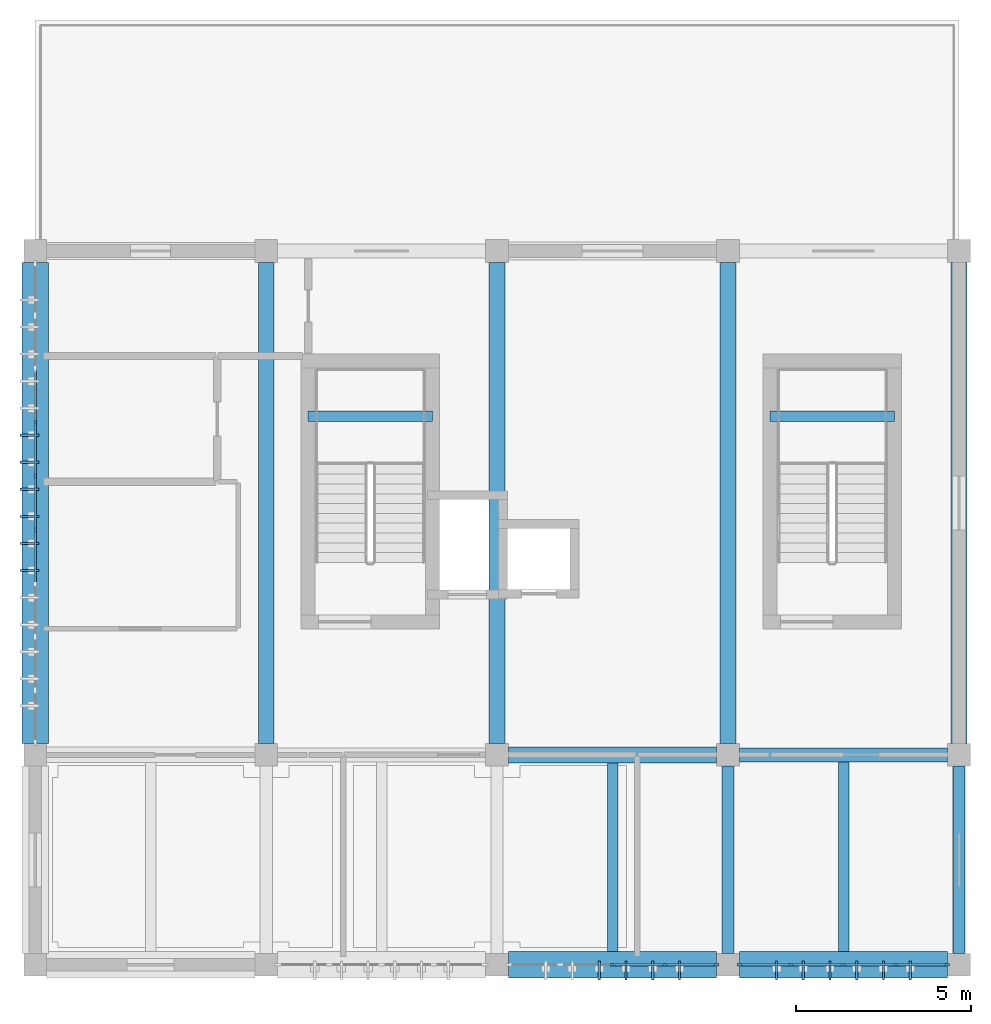
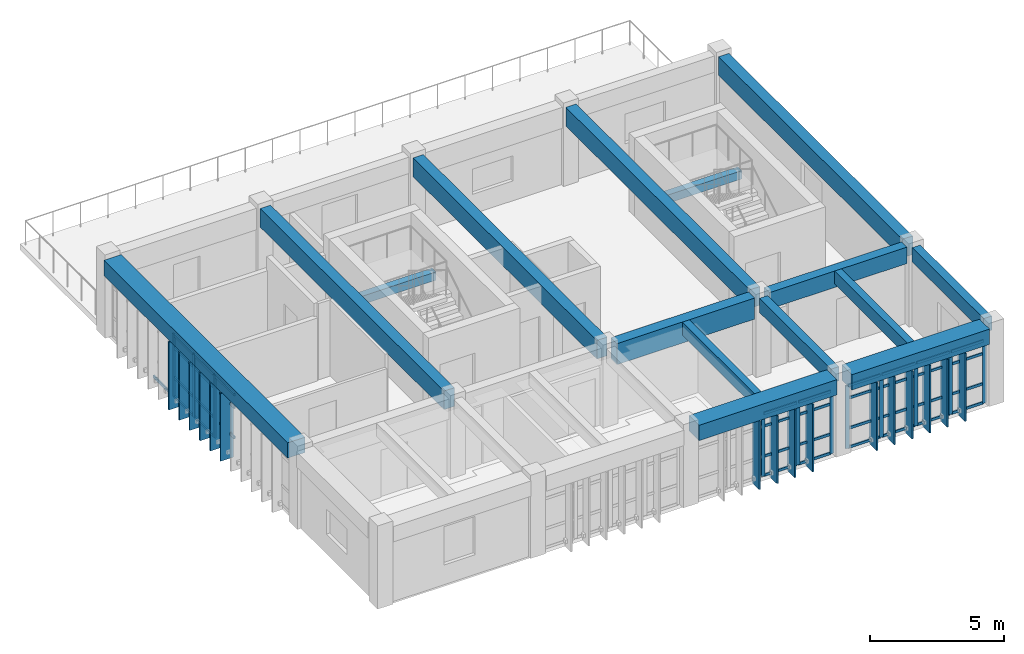
# One storey, part 2 of 8: 63 members, 15 beams, 3 elements without a shape of their own.
"""IFC4 building model written with IfcOpenShell, lengths in metres."""

from ifc_helpers import new_model, si_unit, direction, frame, origin, origin_2d, place, context, subcontext, project, spatial, rectangle, extrude, material, layer, layer_set, material_profile, profile_set, type_object, element, aggregate, save


model = new_model("IFC4")

# Units and contexts
model_context = context("Model", 3, precision=1e-05, world=origin(), true_north=direction((0.0, 1.0)))
body_context = subcontext(model_context, "Body", "Model", "MODEL_VIEW")
ifc_project = project(units=[si_unit("LENGTHUNIT", "METRE"), si_unit("AREAUNIT", "SQUARE_METRE"), si_unit("VOLUMEUNIT", "CUBIC_METRE"), si_unit("PLANEANGLEUNIT", "RADIAN"), si_unit("MASSUNIT", "GRAM", prefix="KILO")], contexts=[model_context])

# Site, building, storey
site_placement = place(None, origin())
site = spatial("IfcSite", under=ifc_project, at=site_placement, CompositionType="ELEMENT")
building_placement = place(site_placement, origin())
building = spatial("IfcBuilding", under=site, at=building_placement, Name="Miralva Faculty of Natural Sciences", CompositionType="ELEMENT")
storey_placement = place(building_placement, frame((0.0, 0.0, 36.800048828125)))
storey = spatial("IfcBuildingStorey", under=building, at=storey_placement, Name="L08", CompositionType="ELEMENT", Elevation=36.800048828125)

# Beams
ifc_material_1 = material(Name="Concrete C40/50", Category="concrete")
ifc_material_profile_1 = material_profile(ifc_material_1, rectangle(XDim=0.449951171875, YDim=0.85009765625, at=origin_2d()), Name="RC 450x850")
ifc_profile_set_1 = profile_set([ifc_material_profile_1], Name="Concrete C40/50")
beam_type_1 = type_object("IfcBeamType", Name="BM-B01", PredefinedType="BEAM", material=ifc_profile_set_1)
for number, where, z_axis, x_axis, name in (
    (1, (9.60009765625, 9.324951171875, 3.155029296875), (0.0, 1.0, 0.0), (-1.0, 0.0, 0.0), "Girder NS L08-16"),
    (2, (16.199951171875, 9.324951171875, 3.155029296875), (0.0, 1.0, 0.0), (-1.0, 0.0, 0.0), "Girder NS L08-18"),
    (3, (22.800048828125, 9.324951171875, 3.155029296875), (0.0, 1.0, 0.0), (-1.0, 0.0, 0.0), "Girder NS L08-20"),
    (4, (29.39990234375, 9.324951171875, 3.155029296875), (0.0, 1.0, 0.0), (-1.0, 0.0, 0.0), "Girder NS L08-22"),
):
    element("IfcBeam", number, at=place(storey_placement, frame(where, z_axis=z_axis, x_axis=x_axis)), inside=storey, type_object=beam_type_1, Name=name, PredefinedType="BEAM", context=body_context, shape_type="SweptSolid", body=[
        extrude(rectangle(XDim=0.449951171875, YDim=0.85009765625, at=origin_2d()), origin(), (0.0, 0.0, 1.0), 13.75),
    ])
ifc_material_profile_2 = material_profile(ifc_material_1, rectangle(XDim=0.39990234375, YDim=0.75, at=origin_2d()), Name="RC 400x750")
ifc_profile_set_2 = profile_set([ifc_material_profile_2], Name="Concrete C40/50")
beam_type_2 = type_object("IfcBeamType", Name="BM-B03", PredefinedType="BEAM", material=ifc_profile_set_2)
beam_1_placement = place(storey_placement, frame((23.125, 9.0, 3.204833984375), z_axis=(1.0, 0.0, 0.0), x_axis=(0.0, 1.0, 0.0)))
element("IfcBeam", 5, at=beam_1_placement, inside=storey, type_object=beam_type_2, Name="Girder EW L08-8", PredefinedType="BEAM", context=body_context, shape_type="SweptSolid", body=[
    extrude(rectangle(XDim=0.39990234375, YDim=0.75, at=origin_2d()), origin(), (0.0, 0.0, 1.0), 5.949951171875),
])
ifc_material_profile_3 = material_profile(ifc_material_1, rectangle(XDim=0.35009765625, YDim=0.64990234375, at=origin_2d()), Name="RC 350x650")
ifc_profile_set_3 = profile_set([ifc_material_profile_3], Name="Concrete C40/50")
beam_type_3 = type_object("IfcBeamType", Name="BM-B05", PredefinedType="BEAM", material=ifc_profile_set_3)
for number, where, z_axis, x_axis, name in (
    (6, (22.800048828125, 3.324951171875, 3.2548828125), (0.0, 1.0, 0.0), (-1.0, 0.0, 0.0), "Girder NS L08-19"),
    (7, (29.39990234375, 3.324951171875, 3.2548828125), (0.0, 1.0, 0.0), (-1.0, 0.0, 0.0), "Girder NS L08-21"),
):
    element("IfcBeam", number, at=place(storey_placement, frame(where, z_axis=z_axis, x_axis=x_axis)), inside=storey, type_object=beam_type_3, Name=name, PredefinedType="BEAM", context=body_context, shape_type="SweptSolid", body=[
        extrude(rectangle(XDim=0.35009765625, YDim=0.64990234375, at=origin_2d()), origin(), (0.0, 0.0, 1.0), 5.35009765625),
    ])
ifc_material_profile_4 = material_profile(ifc_material_1, rectangle(XDim=0.4599609375, YDim=0.9599609375, at=origin_2d()), Name="RC 460x960")
ifc_profile_set_4 = profile_set([ifc_material_profile_4], Name="Concrete C40/50")
beam_type_4 = type_object("IfcBeamType", Name="BM-BG16", PredefinedType="BEAM", material=ifc_profile_set_4)
beam_2_placement = place(storey_placement, frame((16.52490234375, 9.0, 3.099853515625), z_axis=(1.0, 0.0, 0.0), x_axis=(0.0, 1.0, 0.0)))
element("IfcBeam", 8, at=beam_2_placement, inside=storey, type_object=beam_type_4, Name="Girder EW L08-7", PredefinedType="BEAM", context=body_context, shape_type="SweptSolid", body=[
    extrude(rectangle(XDim=0.4599609375, YDim=0.9599609375, at=origin_2d()), origin(), (0.0, 0.0, 1.0), 5.9501953125),
])
ifc_material_profile_5 = material_profile(ifc_material_1, rectangle(XDim=0.300048828125, YDim=0.60009765625, at=origin_2d()), Name="RC 300x600")
ifc_profile_set_5 = profile_set([ifc_material_profile_5], Name="Concrete C40/50")
beam_type_5 = type_object("IfcBeamType", Name="BM-J01", PredefinedType="JOIST", material=ifc_profile_set_5)
beam_3_placement = place(storey_placement, frame((19.5, 3.375, 3.280029296875), z_axis=(0.0, 1.0, 0.0), x_axis=(-1.0, 0.0, 0.0)))
element("IfcBeam", 9, at=beam_3_placement, inside=storey, type_object=beam_type_5, Name="Floor joist L08-3", PredefinedType="JOIST", context=body_context, shape_type="SweptSolid", body=[
    extrude(rectangle(XDim=0.300048828125, YDim=0.60009765625, at=origin_2d()), origin(), (0.0, 0.0, 1.0), 5.39501953125),
])
beam_4_placement = place(storey_placement, frame((26.10009765625, 3.375, 3.280029296875), z_axis=(0.0, 1.0, 0.0), x_axis=(-1.0, 0.0, 0.0)))
element("IfcBeam", 10, at=beam_4_placement, inside=storey, type_object=beam_type_5, Name="Floor joist L08-4", PredefinedType="JOIST", context=body_context, shape_type="SweptSolid", body=[
    extrude(rectangle(XDim=0.300048828125, YDim=0.60009765625, at=origin_2d()), origin(), (0.0, 0.0, 1.0), 5.425048828125),
])
ifc_material_profile_6 = material_profile(ifc_material_1, rectangle(XDim=0.300048828125, YDim=0.3798828125, at=origin_2d()), Name="RC 300x380")
ifc_profile_set_6 = profile_set([ifc_material_profile_6], Name="Concrete C40/50")
beam_type_6 = type_object("IfcBeamType", Name="BM-LND01", PredefinedType="BEAM", material=ifc_profile_set_6)
for number, where, z_axis, x_axis, name in (
    (11, (10.800048828125, 18.675048828125, 1.52001953125), (1.0, 0.0, 0.0), (0.0, 1.0, 0.0), "Stair Core C1 half-landing support beam L08"),
    (12, (24.0, 18.675048828125, 1.52001953125), (1.0, 0.0, 0.0), (0.0, 1.0, 0.0), "Stair Core C1B half-landing support beam L08"),
):
    element("IfcBeam", number, at=place(storey_placement, frame(where, z_axis=z_axis, x_axis=x_axis)), inside=storey, type_object=beam_type_6, Name=name, PredefinedType="BEAM", context=body_context, shape_type="SweptSolid", body=[
        extrude(rectangle(XDim=0.300048828125, YDim=0.3798828125, at=origin_2d()), origin(), (0.0, 0.0, 1.0), 3.550048828125),
    ])
ifc_material_profile_7 = material_profile(ifc_material_1, rectangle(XDim=0.75, YDim=0.699951171875, at=origin_2d()), Name="RC 750x700")
ifc_profile_set_7 = profile_set([ifc_material_profile_7], Name="Concrete C40/50")
beam_type_7 = type_object("IfcBeamType", Name="BM-SP01", PredefinedType="SPANDREL", material=ifc_profile_set_7)
beam_5_placement = place(storey_placement, frame((16.52490234375, 3.0, 3.22998046875), z_axis=(1.0, 0.0, 0.0), x_axis=(0.0, 1.0, 0.0)))
element("IfcBeam", 13, at=beam_5_placement, inside=storey, type_object=beam_type_7, Name="Girder EW L08-3", PredefinedType="SPANDREL", context=body_context, shape_type="SweptSolid", body=[
    extrude(rectangle(XDim=0.75, YDim=0.699951171875, at=origin_2d()), origin(), (0.0, 0.0, 1.0), 5.9501953125),
])
beam_6_placement = place(storey_placement, frame((23.125, 3.0, 3.22998046875), z_axis=(1.0, 0.0, 0.0), x_axis=(0.0, 1.0, 0.0)))
element("IfcBeam", 14, at=beam_6_placement, inside=storey, type_object=beam_type_7, Name="Girder EW L08-4", PredefinedType="SPANDREL", context=body_context, shape_type="SweptSolid", body=[
    extrude(rectangle(XDim=0.75, YDim=0.699951171875, at=origin_2d()), origin(), (0.0, 0.0, 1.0), 5.949951171875),
])
beam_7_placement = place(storey_placement, frame((3.0, 9.324951171875, 3.22998046875), z_axis=(0.0, 1.0, 0.0), x_axis=(-1.0, 0.0, 0.0)))
element("IfcBeam", 15, at=beam_7_placement, inside=storey, type_object=beam_type_7, Name="Girder NS L08-14", PredefinedType="SPANDREL", context=body_context, shape_type="SweptSolid", body=[
    extrude(rectangle(XDim=0.75, YDim=0.699951171875, at=origin_2d()), origin(), (0.0, 0.0, 1.0), 13.75),
])

# Curtain wall, members
ifc_material_2 = material(Name="Laminated solar-control glass", Category="glass")
ifc_layer = layer(ifc_material_2, 0.179931640625, Name="CW-TWR-L07")
ifc_layer_set = layer_set([ifc_layer], Name="Laminated solar-control glass")
curtain_wall_type = type_object("IfcCurtainWallType", Name="CW-TWR-L07", PredefinedType="USERDEFINED", material=ifc_layer_set)
curtain_wall_1_placement = place(storey_placement, origin())
curtain_wall_1 = element("IfcCurtainWall", 16, at=curtain_wall_1_placement, inside=storey, type_object=curtain_wall_type, Name="Curtain wall CW-15 L08-248", ObjectType="UNITISED CURTAIN WALL", PredefinedType="USERDEFINED")
ifc_material_3 = material(Name="Anodised aluminium", Category="aluminium")
ifc_material_profile_8 = material_profile(ifc_material_3, rectangle(XDim=0.06494140625, YDim=0.159912109375, at=origin_2d()), Name="MULLION 65x160")
ifc_profile_set_8 = profile_set([ifc_material_profile_8], Name="Anodised aluminium")
member_type_1 = type_object("IfcMemberType", Name="CW-M02", PredefinedType="MULLION", material=ifc_profile_set_8)
member_1_placement = place(storey_placement, frame((19.5, 3.0, 0.0), z_axis=(0.0, 0.0, 1.0), x_axis=(0.0, 1.0, 0.0)))
member_1 = element("IfcMember", 17, at=member_1_placement, type_object=member_type_1, Name="CW-15 mullion 3", PredefinedType="MULLION", context=body_context, shape_type="SweptSolid", body=[
    extrude(rectangle(XDim=0.06494140625, YDim=0.159912109375, at=origin_2d()), origin(), (0.0, 0.0, 1.0), 2.875),
])
member_2_placement = place(storey_placement, frame((20.99755859375, 3.0, 0.0), z_axis=(0.0, 0.0, 1.0), x_axis=(0.0, 1.0, 0.0)))
member_2 = element("IfcMember", 18, at=member_2_placement, type_object=member_type_1, Name="CW-15 mullion 4", PredefinedType="MULLION", context=body_context, shape_type="SweptSolid", body=[
    extrude(rectangle(XDim=0.06494140625, YDim=0.159912109375, at=origin_2d()), origin(), (0.0, 0.0, 1.0), 2.875),
])
member_3_placement = place(storey_placement, frame((22.46240234375, 3.0, 0.0), z_axis=(0.0, 0.0, 1.0), x_axis=(0.0, 1.0, 0.0)))
member_3 = element("IfcMember", 19, at=member_3_placement, type_object=member_type_1, Name="CW-15 mullion 5", PredefinedType="MULLION", context=body_context, shape_type="SweptSolid", body=[
    extrude(rectangle(XDim=0.06494140625, YDim=0.159912109375, at=origin_2d()), origin(), (0.0, 0.0, 1.0), 2.875),
])

curtain_wall_2_placement = place(storey_placement, origin())
curtain_wall_2 = element("IfcCurtainWall", 20, at=curtain_wall_2_placement, inside=storey, type_object=curtain_wall_type, Name="Curtain wall CW-15 L08-249", ObjectType="UNITISED CURTAIN WALL", PredefinedType="USERDEFINED")
member_4_placement = place(storey_placement, frame((23.137451171875, 3.0, 0.0), z_axis=(0.0, 0.0, 1.0), x_axis=(0.0, 1.0, 0.0)))
member_4 = element("IfcMember", 21, at=member_4_placement, type_object=member_type_1, Name="CW-15 mullion 1", PredefinedType="MULLION", context=body_context, shape_type="SweptSolid", body=[
    extrude(rectangle(XDim=0.06494140625, YDim=0.159912109375, at=origin_2d()), origin(), (0.0, 0.0, 1.0), 2.875),
])
member_5_placement = place(storey_placement, frame((24.60009765625, 3.0, 0.0), z_axis=(0.0, 0.0, 1.0), x_axis=(0.0, 1.0, 0.0)))
member_5 = element("IfcMember", 22, at=member_5_placement, type_object=member_type_1, Name="CW-15 mullion 2", PredefinedType="MULLION", context=body_context, shape_type="SweptSolid", body=[
    extrude(rectangle(XDim=0.06494140625, YDim=0.159912109375, at=origin_2d()), origin(), (0.0, 0.0, 1.0), 2.875),
])
member_6_placement = place(storey_placement, frame((26.094970703125, 3.0, 0.0), z_axis=(0.0, 0.0, 1.0), x_axis=(0.0, 1.0, 0.0)))
member_6 = element("IfcMember", 23, at=member_6_placement, type_object=member_type_1, Name="CW-15 mullion 3", PredefinedType="MULLION", context=body_context, shape_type="SweptSolid", body=[
    extrude(rectangle(XDim=0.06494140625, YDim=0.159912109375, at=origin_2d()), origin(), (0.0, 0.0, 1.0), 2.875),
])
member_7_placement = place(storey_placement, frame((27.590087890625, 3.0, 0.0), z_axis=(0.0, 0.0, 1.0), x_axis=(0.0, 1.0, 0.0)))
member_7 = element("IfcMember", 24, at=member_7_placement, type_object=member_type_1, Name="CW-15 mullion 4", PredefinedType="MULLION", context=body_context, shape_type="SweptSolid", body=[
    extrude(rectangle(XDim=0.06494140625, YDim=0.159912109375, at=origin_2d()), origin(), (0.0, 0.0, 1.0), 2.875),
])
member_8_placement = place(storey_placement, frame((29.052490234375, 3.0, 0.0), z_axis=(0.0, 0.0, 1.0), x_axis=(0.0, 1.0, 0.0)))
member_8 = element("IfcMember", 25, at=member_8_placement, type_object=member_type_1, Name="CW-15 mullion 5", PredefinedType="MULLION", context=body_context, shape_type="SweptSolid", body=[
    extrude(rectangle(XDim=0.06494140625, YDim=0.159912109375, at=origin_2d()), origin(), (0.0, 0.0, 1.0), 2.875),
])

curtain_wall_3_placement = place(storey_placement, origin())
curtain_wall_3 = element("IfcCurtainWall", 26, at=curtain_wall_3_placement, inside=storey, type_object=curtain_wall_type, Name="Curtain wall CW-15 L08-250", ObjectType="UNITISED CURTAIN WALL", PredefinedType="USERDEFINED")
member_9_placement = place(storey_placement, frame((3.0, 15.43505859375, 0.0), z_axis=(0.0, 0.0, 1.0), x_axis=(-1.0, 0.0, 0.0)))
member_9 = element("IfcMember", 27, at=member_9_placement, type_object=member_type_1, Name="CW-15 mullion 5", PredefinedType="MULLION", context=body_context, shape_type="SweptSolid", body=[
    extrude(rectangle(XDim=0.06494140625, YDim=0.159912109375, at=origin_2d()), origin(), (0.0, 0.0, 1.0), 2.875),
])
member_10_placement = place(storey_placement, frame((3.0, 16.965087890625, 0.0), z_axis=(0.0, 0.0, 1.0), x_axis=(-1.0, 0.0, 0.0)))
member_10 = element("IfcMember", 28, at=member_10_placement, type_object=member_type_1, Name="CW-15 mullion 6", PredefinedType="MULLION", context=body_context, shape_type="SweptSolid", body=[
    extrude(rectangle(XDim=0.06494140625, YDim=0.159912109375, at=origin_2d()), origin(), (0.0, 0.0, 1.0), 2.875),
])
member_11_placement = place(storey_placement, frame((3.0, 18.4951171875, 0.0), z_axis=(0.0, 0.0, 1.0), x_axis=(-1.0, 0.0, 0.0)))
member_11 = element("IfcMember", 29, at=member_11_placement, type_object=member_type_1, Name="CW-15 mullion 7", PredefinedType="MULLION", context=body_context, shape_type="SweptSolid", body=[
    extrude(rectangle(XDim=0.06494140625, YDim=0.159912109375, at=origin_2d()), origin(), (0.0, 0.0, 1.0), 2.875),
])

# Member
ifc_material_profile_9 = material_profile(ifc_material_3, rectangle(XDim=0.06005859375, YDim=0.1201171875, at=origin_2d()), Name="TRANSOM 60x120")
ifc_profile_set_9 = profile_set([ifc_material_profile_9], Name="Anodised aluminium")
member_type_2 = type_object("IfcMemberType", Name="CW-T02", PredefinedType="USERDEFINED", material=ifc_profile_set_9)
member_12_placement = place(storey_placement, frame((19.532470703125, 3.0, 0.030029296875), z_axis=(1.0, 0.0, 0.0), x_axis=(0.0, 1.0, 0.0)))
member_12 = element("IfcMember", 30, at=member_12_placement, type_object=member_type_2, Name="CW-15 transom 3.1", ObjectType="TRANSOM", PredefinedType="USERDEFINED", context=body_context, shape_type="SweptSolid", body=[
    extrude(rectangle(XDim=0.06005859375, YDim=0.1201171875, at=origin_2d()), origin(), (0.0, 0.0, 1.0), 1.4326171875),
])

member_13_placement = place(storey_placement, frame((19.532470703125, 3.0, 0.89990234375), z_axis=(1.0, 0.0, 0.0), x_axis=(0.0, 1.0, 0.0)))
member_13 = element("IfcMember", 31, at=member_13_placement, type_object=member_type_2, Name="CW-15 transom 3.2", ObjectType="TRANSOM", PredefinedType="USERDEFINED", context=body_context, shape_type="SweptSolid", body=[
    extrude(rectangle(XDim=0.06005859375, YDim=0.1201171875, at=origin_2d()), origin(), (0.0, 0.0, 1.0), 1.4326171875),
])

member_14_placement = place(storey_placement, frame((19.532470703125, 3.0, 2.27490234375), z_axis=(1.0, 0.0, 0.0), x_axis=(0.0, 1.0, 0.0)))
member_14 = element("IfcMember", 32, at=member_14_placement, type_object=member_type_2, Name="CW-15 transom 3.3", ObjectType="TRANSOM", PredefinedType="USERDEFINED", context=body_context, shape_type="SweptSolid", body=[
    extrude(rectangle(XDim=0.06005859375, YDim=0.1201171875, at=origin_2d()), origin(), (0.0, 0.0, 1.0), 1.4326171875),
])

member_15_placement = place(storey_placement, frame((19.532470703125, 3.0, 2.844970703125), z_axis=(1.0, 0.0, 0.0), x_axis=(0.0, 1.0, 0.0)))
member_15 = element("IfcMember", 33, at=member_15_placement, type_object=member_type_2, Name="CW-15 transom 3.4", ObjectType="TRANSOM", PredefinedType="USERDEFINED", context=body_context, shape_type="SweptSolid", body=[
    extrude(rectangle(XDim=0.06005859375, YDim=0.1201171875, at=origin_2d()), origin(), (0.0, 0.0, 1.0), 1.4326171875),
])

member_16_placement = place(storey_placement, frame((21.030029296875, 3.0, 0.030029296875), z_axis=(1.0, 0.0, 0.0), x_axis=(0.0, 1.0, 0.0)))
member_16 = element("IfcMember", 34, at=member_16_placement, type_object=member_type_2, Name="CW-15 transom 4.1", ObjectType="TRANSOM", PredefinedType="USERDEFINED", context=body_context, shape_type="SweptSolid", body=[
    extrude(rectangle(XDim=0.06005859375, YDim=0.1201171875, at=origin_2d()), origin(), (0.0, 0.0, 1.0), 1.39990234375),
])

member_17_placement = place(storey_placement, frame((21.030029296875, 3.0, 0.89990234375), z_axis=(1.0, 0.0, 0.0), x_axis=(0.0, 1.0, 0.0)))
member_17 = element("IfcMember", 35, at=member_17_placement, type_object=member_type_2, Name="CW-15 transom 4.2", ObjectType="TRANSOM", PredefinedType="USERDEFINED", context=body_context, shape_type="SweptSolid", body=[
    extrude(rectangle(XDim=0.06005859375, YDim=0.1201171875, at=origin_2d()), origin(), (0.0, 0.0, 1.0), 1.39990234375),
])

member_18_placement = place(storey_placement, frame((21.030029296875, 3.0, 2.27490234375), z_axis=(1.0, 0.0, 0.0), x_axis=(0.0, 1.0, 0.0)))
member_18 = element("IfcMember", 36, at=member_18_placement, type_object=member_type_2, Name="CW-15 transom 4.3", ObjectType="TRANSOM", PredefinedType="USERDEFINED", context=body_context, shape_type="SweptSolid", body=[
    extrude(rectangle(XDim=0.06005859375, YDim=0.1201171875, at=origin_2d()), origin(), (0.0, 0.0, 1.0), 1.39990234375),
])

member_19_placement = place(storey_placement, frame((21.030029296875, 3.0, 2.844970703125), z_axis=(1.0, 0.0, 0.0), x_axis=(0.0, 1.0, 0.0)))
member_19 = element("IfcMember", 37, at=member_19_placement, type_object=member_type_2, Name="CW-15 transom 4.4", ObjectType="TRANSOM", PredefinedType="USERDEFINED", context=body_context, shape_type="SweptSolid", body=[
    extrude(rectangle(XDim=0.06005859375, YDim=0.1201171875, at=origin_2d()), origin(), (0.0, 0.0, 1.0), 1.39990234375),
])

aggregate(curtain_wall_1, [member_1, member_2, member_3, member_12, member_13, member_14, member_15, member_16, member_17, member_18, member_19])

member_20_placement = place(storey_placement, frame((23.169921875, 3.0, 0.030029296875), z_axis=(1.0, 0.0, 0.0), x_axis=(0.0, 1.0, 0.0)))
member_20 = element("IfcMember", 38, at=member_20_placement, type_object=member_type_2, Name="CW-15 transom 1.1", ObjectType="TRANSOM", PredefinedType="USERDEFINED", context=body_context, shape_type="SweptSolid", body=[
    extrude(rectangle(XDim=0.06005859375, YDim=0.1201171875, at=origin_2d()), origin(), (0.0, 0.0, 1.0), 1.3974609375),
])

member_21_placement = place(storey_placement, frame((23.169921875, 3.0, 0.89990234375), z_axis=(1.0, 0.0, 0.0), x_axis=(0.0, 1.0, 0.0)))
member_21 = element("IfcMember", 39, at=member_21_placement, type_object=member_type_2, Name="CW-15 transom 1.2", ObjectType="TRANSOM", PredefinedType="USERDEFINED", context=body_context, shape_type="SweptSolid", body=[
    extrude(rectangle(XDim=0.06005859375, YDim=0.1201171875, at=origin_2d()), origin(), (0.0, 0.0, 1.0), 1.3974609375),
])

member_22_placement = place(storey_placement, frame((23.169921875, 3.0, 2.27490234375), z_axis=(1.0, 0.0, 0.0), x_axis=(0.0, 1.0, 0.0)))
member_22 = element("IfcMember", 40, at=member_22_placement, type_object=member_type_2, Name="CW-15 transom 1.3", ObjectType="TRANSOM", PredefinedType="USERDEFINED", context=body_context, shape_type="SweptSolid", body=[
    extrude(rectangle(XDim=0.06005859375, YDim=0.1201171875, at=origin_2d()), origin(), (0.0, 0.0, 1.0), 1.3974609375),
])

member_23_placement = place(storey_placement, frame((23.169921875, 3.0, 2.844970703125), z_axis=(1.0, 0.0, 0.0), x_axis=(0.0, 1.0, 0.0)))
member_23 = element("IfcMember", 41, at=member_23_placement, type_object=member_type_2, Name="CW-15 transom 1.4", ObjectType="TRANSOM", PredefinedType="USERDEFINED", context=body_context, shape_type="SweptSolid", body=[
    extrude(rectangle(XDim=0.06005859375, YDim=0.1201171875, at=origin_2d()), origin(), (0.0, 0.0, 1.0), 1.3974609375),
])

member_24_placement = place(storey_placement, frame((24.632568359375, 3.0, 0.030029296875), z_axis=(1.0, 0.0, 0.0), x_axis=(0.0, 1.0, 0.0)))
member_24 = element("IfcMember", 42, at=member_24_placement, type_object=member_type_2, Name="CW-15 transom 2.1", ObjectType="TRANSOM", PredefinedType="USERDEFINED", context=body_context, shape_type="SweptSolid", body=[
    extrude(rectangle(XDim=0.06005859375, YDim=0.1201171875, at=origin_2d()), origin(), (0.0, 0.0, 1.0), 1.429931640625),
])

member_25_placement = place(storey_placement, frame((24.632568359375, 3.0, 0.89990234375), z_axis=(1.0, 0.0, 0.0), x_axis=(0.0, 1.0, 0.0)))
member_25 = element("IfcMember", 43, at=member_25_placement, type_object=member_type_2, Name="CW-15 transom 2.2", ObjectType="TRANSOM", PredefinedType="USERDEFINED", context=body_context, shape_type="SweptSolid", body=[
    extrude(rectangle(XDim=0.06005859375, YDim=0.1201171875, at=origin_2d()), origin(), (0.0, 0.0, 1.0), 1.429931640625),
])

member_26_placement = place(storey_placement, frame((24.632568359375, 3.0, 2.27490234375), z_axis=(1.0, 0.0, 0.0), x_axis=(0.0, 1.0, 0.0)))
member_26 = element("IfcMember", 44, at=member_26_placement, type_object=member_type_2, Name="CW-15 transom 2.3", ObjectType="TRANSOM", PredefinedType="USERDEFINED", context=body_context, shape_type="SweptSolid", body=[
    extrude(rectangle(XDim=0.06005859375, YDim=0.1201171875, at=origin_2d()), origin(), (0.0, 0.0, 1.0), 1.429931640625),
])

member_27_placement = place(storey_placement, frame((24.632568359375, 3.0, 2.844970703125), z_axis=(1.0, 0.0, 0.0), x_axis=(0.0, 1.0, 0.0)))
member_27 = element("IfcMember", 45, at=member_27_placement, type_object=member_type_2, Name="CW-15 transom 2.4", ObjectType="TRANSOM", PredefinedType="USERDEFINED", context=body_context, shape_type="SweptSolid", body=[
    extrude(rectangle(XDim=0.06005859375, YDim=0.1201171875, at=origin_2d()), origin(), (0.0, 0.0, 1.0), 1.429931640625),
])

member_28_placement = place(storey_placement, frame((26.12744140625, 3.0, 0.030029296875), z_axis=(1.0, 0.0, 0.0), x_axis=(0.0, 1.0, 0.0)))
member_28 = element("IfcMember", 46, at=member_28_placement, type_object=member_type_2, Name="CW-15 transom 3.1", ObjectType="TRANSOM", PredefinedType="USERDEFINED", context=body_context, shape_type="SweptSolid", body=[
    extrude(rectangle(XDim=0.06005859375, YDim=0.1201171875, at=origin_2d()), origin(), (0.0, 0.0, 1.0), 1.43017578125),
])

member_29_placement = place(storey_placement, frame((26.12744140625, 3.0, 0.89990234375), z_axis=(1.0, 0.0, 0.0), x_axis=(0.0, 1.0, 0.0)))
member_29 = element("IfcMember", 47, at=member_29_placement, type_object=member_type_2, Name="CW-15 transom 3.2", ObjectType="TRANSOM", PredefinedType="USERDEFINED", context=body_context, shape_type="SweptSolid", body=[
    extrude(rectangle(XDim=0.06005859375, YDim=0.1201171875, at=origin_2d()), origin(), (0.0, 0.0, 1.0), 1.43017578125),
])

member_30_placement = place(storey_placement, frame((26.12744140625, 3.0, 2.27490234375), z_axis=(1.0, 0.0, 0.0), x_axis=(0.0, 1.0, 0.0)))
member_30 = element("IfcMember", 48, at=member_30_placement, type_object=member_type_2, Name="CW-15 transom 3.3", ObjectType="TRANSOM", PredefinedType="USERDEFINED", context=body_context, shape_type="SweptSolid", body=[
    extrude(rectangle(XDim=0.06005859375, YDim=0.1201171875, at=origin_2d()), origin(), (0.0, 0.0, 1.0), 1.43017578125),
])

member_31_placement = place(storey_placement, frame((26.12744140625, 3.0, 2.844970703125), z_axis=(1.0, 0.0, 0.0), x_axis=(0.0, 1.0, 0.0)))
member_31 = element("IfcMember", 49, at=member_31_placement, type_object=member_type_2, Name="CW-15 transom 3.4", ObjectType="TRANSOM", PredefinedType="USERDEFINED", context=body_context, shape_type="SweptSolid", body=[
    extrude(rectangle(XDim=0.06005859375, YDim=0.1201171875, at=origin_2d()), origin(), (0.0, 0.0, 1.0), 1.43017578125),
])

member_32_placement = place(storey_placement, frame((27.62255859375, 3.0, 0.030029296875), z_axis=(1.0, 0.0, 0.0), x_axis=(0.0, 1.0, 0.0)))
member_32 = element("IfcMember", 50, at=member_32_placement, type_object=member_type_2, Name="CW-15 transom 4.1", ObjectType="TRANSOM", PredefinedType="USERDEFINED", context=body_context, shape_type="SweptSolid", body=[
    extrude(rectangle(XDim=0.06005859375, YDim=0.1201171875, at=origin_2d()), origin(), (0.0, 0.0, 1.0), 1.3974609375),
])

member_33_placement = place(storey_placement, frame((27.62255859375, 3.0, 0.89990234375), z_axis=(1.0, 0.0, 0.0), x_axis=(0.0, 1.0, 0.0)))
member_33 = element("IfcMember", 51, at=member_33_placement, type_object=member_type_2, Name="CW-15 transom 4.2", ObjectType="TRANSOM", PredefinedType="USERDEFINED", context=body_context, shape_type="SweptSolid", body=[
    extrude(rectangle(XDim=0.06005859375, YDim=0.1201171875, at=origin_2d()), origin(), (0.0, 0.0, 1.0), 1.3974609375),
])

member_34_placement = place(storey_placement, frame((27.62255859375, 3.0, 2.27490234375), z_axis=(1.0, 0.0, 0.0), x_axis=(0.0, 1.0, 0.0)))
member_34 = element("IfcMember", 52, at=member_34_placement, type_object=member_type_2, Name="CW-15 transom 4.3", ObjectType="TRANSOM", PredefinedType="USERDEFINED", context=body_context, shape_type="SweptSolid", body=[
    extrude(rectangle(XDim=0.06005859375, YDim=0.1201171875, at=origin_2d()), origin(), (0.0, 0.0, 1.0), 1.3974609375),
])

member_35_placement = place(storey_placement, frame((27.62255859375, 3.0, 2.844970703125), z_axis=(1.0, 0.0, 0.0), x_axis=(0.0, 1.0, 0.0)))
member_35 = element("IfcMember", 53, at=member_35_placement, type_object=member_type_2, Name="CW-15 transom 4.4", ObjectType="TRANSOM", PredefinedType="USERDEFINED", context=body_context, shape_type="SweptSolid", body=[
    extrude(rectangle(XDim=0.06005859375, YDim=0.1201171875, at=origin_2d()), origin(), (0.0, 0.0, 1.0), 1.3974609375),
])

aggregate(curtain_wall_2, [member_4, member_5, member_6, member_7, member_8, member_20, member_21, member_22, member_23, member_24, member_25, member_26, member_27, member_28, member_29, member_30, member_31, member_32, member_33, member_34, member_35])

member_36_placement = place(storey_placement, frame((3.0, 13.9375, 0.89990234375), z_axis=(0.0, 1.0, 0.0), x_axis=(-1.0, 0.0, 0.0)))
member_36 = element("IfcMember", 54, at=member_36_placement, type_object=member_type_2, Name="CW-15 transom 4.2", ObjectType="TRANSOM", PredefinedType="USERDEFINED", context=body_context, shape_type="SweptSolid", body=[
    extrude(rectangle(XDim=0.06005859375, YDim=0.1201171875, at=origin_2d()), origin(), (0.0, 0.0, 1.0), 1.465087890625),
])

member_37_placement = place(storey_placement, frame((3.0, 13.9375, 2.27490234375), z_axis=(0.0, 1.0, 0.0), x_axis=(-1.0, 0.0, 0.0)))
member_37 = element("IfcMember", 55, at=member_37_placement, type_object=member_type_2, Name="CW-15 transom 4.3", ObjectType="TRANSOM", PredefinedType="USERDEFINED", context=body_context, shape_type="SweptSolid", body=[
    extrude(rectangle(XDim=0.06005859375, YDim=0.1201171875, at=origin_2d()), origin(), (0.0, 0.0, 1.0), 1.465087890625),
])

member_38_placement = place(storey_placement, frame((3.0, 13.9375, 2.844970703125), z_axis=(0.0, 1.0, 0.0), x_axis=(-1.0, 0.0, 0.0)))
member_38 = element("IfcMember", 56, at=member_38_placement, type_object=member_type_2, Name="CW-15 transom 4.4", ObjectType="TRANSOM", PredefinedType="USERDEFINED", context=body_context, shape_type="SweptSolid", body=[
    extrude(rectangle(XDim=0.06005859375, YDim=0.1201171875, at=origin_2d()), origin(), (0.0, 0.0, 1.0), 1.465087890625),
])

member_39_placement = place(storey_placement, frame((3.0, 15.467529296875, 0.030029296875), z_axis=(0.0, 1.0, 0.0), x_axis=(-1.0, 0.0, 0.0)))
member_39 = element("IfcMember", 57, at=member_39_placement, type_object=member_type_2, Name="CW-15 transom 5.1", ObjectType="TRANSOM", PredefinedType="USERDEFINED", context=body_context, shape_type="SweptSolid", body=[
    extrude(rectangle(XDim=0.06005859375, YDim=0.1201171875, at=origin_2d()), origin(), (0.0, 0.0, 1.0), 1.465087890625),
])

member_40_placement = place(storey_placement, frame((3.0, 15.467529296875, 0.89990234375), z_axis=(0.0, 1.0, 0.0), x_axis=(-1.0, 0.0, 0.0)))
member_40 = element("IfcMember", 58, at=member_40_placement, type_object=member_type_2, Name="CW-15 transom 5.2", ObjectType="TRANSOM", PredefinedType="USERDEFINED", context=body_context, shape_type="SweptSolid", body=[
    extrude(rectangle(XDim=0.06005859375, YDim=0.1201171875, at=origin_2d()), origin(), (0.0, 0.0, 1.0), 1.465087890625),
])

member_41_placement = place(storey_placement, frame((3.0, 15.467529296875, 2.27490234375), z_axis=(0.0, 1.0, 0.0), x_axis=(-1.0, 0.0, 0.0)))
member_41 = element("IfcMember", 59, at=member_41_placement, type_object=member_type_2, Name="CW-15 transom 5.3", ObjectType="TRANSOM", PredefinedType="USERDEFINED", context=body_context, shape_type="SweptSolid", body=[
    extrude(rectangle(XDim=0.06005859375, YDim=0.1201171875, at=origin_2d()), origin(), (0.0, 0.0, 1.0), 1.465087890625),
])

member_42_placement = place(storey_placement, frame((3.0, 15.467529296875, 2.844970703125), z_axis=(0.0, 1.0, 0.0), x_axis=(-1.0, 0.0, 0.0)))
member_42 = element("IfcMember", 60, at=member_42_placement, type_object=member_type_2, Name="CW-15 transom 5.4", ObjectType="TRANSOM", PredefinedType="USERDEFINED", context=body_context, shape_type="SweptSolid", body=[
    extrude(rectangle(XDim=0.06005859375, YDim=0.1201171875, at=origin_2d()), origin(), (0.0, 0.0, 1.0), 1.465087890625),
])

member_43_placement = place(storey_placement, frame((3.0, 16.99755859375, 0.030029296875), z_axis=(0.0, 1.0, 0.0), x_axis=(-1.0, 0.0, 0.0)))
member_43 = element("IfcMember", 61, at=member_43_placement, type_object=member_type_2, Name="CW-15 transom 6.1", ObjectType="TRANSOM", PredefinedType="USERDEFINED", context=body_context, shape_type="SweptSolid", body=[
    extrude(rectangle(XDim=0.06005859375, YDim=0.1201171875, at=origin_2d()), origin(), (0.0, 0.0, 1.0), 1.46484375),
])

member_44_placement = place(storey_placement, frame((3.0, 16.99755859375, 0.89990234375), z_axis=(0.0, 1.0, 0.0), x_axis=(-1.0, 0.0, 0.0)))
member_44 = element("IfcMember", 62, at=member_44_placement, type_object=member_type_2, Name="CW-15 transom 6.2", ObjectType="TRANSOM", PredefinedType="USERDEFINED", context=body_context, shape_type="SweptSolid", body=[
    extrude(rectangle(XDim=0.06005859375, YDim=0.1201171875, at=origin_2d()), origin(), (0.0, 0.0, 1.0), 1.46484375),
])

member_45_placement = place(storey_placement, frame((3.0, 16.99755859375, 2.27490234375), z_axis=(0.0, 1.0, 0.0), x_axis=(-1.0, 0.0, 0.0)))
member_45 = element("IfcMember", 63, at=member_45_placement, type_object=member_type_2, Name="CW-15 transom 6.3", ObjectType="TRANSOM", PredefinedType="USERDEFINED", context=body_context, shape_type="SweptSolid", body=[
    extrude(rectangle(XDim=0.06005859375, YDim=0.1201171875, at=origin_2d()), origin(), (0.0, 0.0, 1.0), 1.46484375),
])

member_46_placement = place(storey_placement, frame((3.0, 16.99755859375, 2.844970703125), z_axis=(0.0, 1.0, 0.0), x_axis=(-1.0, 0.0, 0.0)))
member_46 = element("IfcMember", 64, at=member_46_placement, type_object=member_type_2, Name="CW-15 transom 6.4", ObjectType="TRANSOM", PredefinedType="USERDEFINED", context=body_context, shape_type="SweptSolid", body=[
    extrude(rectangle(XDim=0.06005859375, YDim=0.1201171875, at=origin_2d()), origin(), (0.0, 0.0, 1.0), 1.46484375),
])

member_47_placement = place(storey_placement, frame((3.0, 18.527587890625, 0.030029296875), z_axis=(0.0, 1.0, 0.0), x_axis=(-1.0, 0.0, 0.0)))
member_47 = element("IfcMember", 65, at=member_47_placement, type_object=member_type_2, Name="CW-15 transom 7.1", ObjectType="TRANSOM", PredefinedType="USERDEFINED", context=body_context, shape_type="SweptSolid", body=[
    extrude(rectangle(XDim=0.06005859375, YDim=0.1201171875, at=origin_2d()), origin(), (0.0, 0.0, 1.0), 1.46484375),
])

aggregate(curtain_wall_3, [member_9, member_10, member_11, member_36, member_37, member_38, member_39, member_40, member_41, member_42, member_43, member_44, member_45, member_46, member_47])

# Members
ifc_material_profile_10 = material_profile(ifc_material_3, rectangle(XDim=0.06494140625, YDim=0.550048828125, at=origin_2d()), Name="FIN 550x65")
ifc_profile_set_10 = profile_set([ifc_material_profile_10], Name="Anodised aluminium")
member_type_3 = type_object("IfcMemberType", Name="MEM-SF03", PredefinedType="USERDEFINED", material=ifc_profile_set_10)
for number, where, z_axis, x_axis, name in (
    (66, (19.117431640625, 2.840087890625, -0.219970703125), (0.0, 0.0, 1.0), (1.0, 0.0, 0.0), "Solar shading fin SF-03 L08-442"),
    (67, (19.882568359375, 2.840087890625, -0.219970703125), (0.0, 0.0, 1.0), (1.0, 0.0, 0.0), "Solar shading fin SF-03 L08-443"),
    (68, (20.6474609375, 2.840087890625, -0.219970703125), (0.0, 0.0, 1.0), (1.0, 0.0, 0.0), "Solar shading fin SF-03 L08-444"),
    (69, (21.41259765625, 2.840087890625, -0.219970703125), (0.0, 0.0, 1.0), (1.0, 0.0, 0.0), "Solar shading fin SF-03 L08-445"),
    (70, (24.186767578125, 2.840087890625, -0.219970703125), (0.0, 0.0, 1.0), (1.0, 0.0, 0.0), "Solar shading fin SF-03 L08-446"),
    (71, (24.949951171875, 2.840087890625, -0.219970703125), (0.0, 0.0, 1.0), (1.0, 0.0, 0.0), "Solar shading fin SF-03 L08-447"),
    (72, (25.71337890625, 2.840087890625, -0.219970703125), (0.0, 0.0, 1.0), (1.0, 0.0, 0.0), "Solar shading fin SF-03 L08-448"),
    (73, (26.476806640625, 2.840087890625, -0.219970703125), (0.0, 0.0, 1.0), (1.0, 0.0, 0.0), "Solar shading fin SF-03 L08-449"),
    (74, (27.239990234375, 2.840087890625, -0.219970703125), (0.0, 0.0, 1.0), (1.0, 0.0, 0.0), "Solar shading fin SF-03 L08-450"),
    (75, (28.00341796875, 2.840087890625, -0.219970703125), (0.0, 0.0, 1.0), (1.0, 0.0, 0.0), "Solar shading fin SF-03 L08-451"),
    (76, (2.840087890625, 14.26708984375, -0.219970703125), (0.0, 0.0, 1.0), (0.0, -1.0, 0.0), "Solar shading fin SF-03 L08-457"),
    (77, (2.840087890625, 15.040283203125, -0.219970703125), (0.0, 0.0, 1.0), (0.0, -1.0, 0.0), "Solar shading fin SF-03 L08-458"),
    (78, (2.840087890625, 15.8134765625, -0.219970703125), (0.0, 0.0, 1.0), (0.0, -1.0, 0.0), "Solar shading fin SF-03 L08-459"),
    (79, (2.840087890625, 16.586669921875, -0.219970703125), (0.0, 0.0, 1.0), (0.0, -1.0, 0.0), "Solar shading fin SF-03 L08-460"),
    (80, (2.840087890625, 17.359619140625, -0.219970703125), (0.0, 0.0, 1.0), (0.0, -1.0, 0.0), "Solar shading fin SF-03 L08-461"),
    (81, (2.840087890625, 18.1328125, -0.219970703125), (0.0, 0.0, 1.0), (0.0, -1.0, 0.0), "Solar shading fin SF-03 L08-462"),
):
    element("IfcMember", number, at=place(storey_placement, frame(where, z_axis=z_axis, x_axis=x_axis)), inside=storey, type_object=member_type_3, Name=name, ObjectType="SUNSHADE", PredefinedType="USERDEFINED", context=body_context, shape_type="SweptSolid", body=[
        extrude(rectangle(XDim=0.06494140625, YDim=0.550048828125, at=origin_2d()), origin(), (0.0, 0.0, 1.0), 3.094970703125),
    ])

save(model, "model.ifc")
